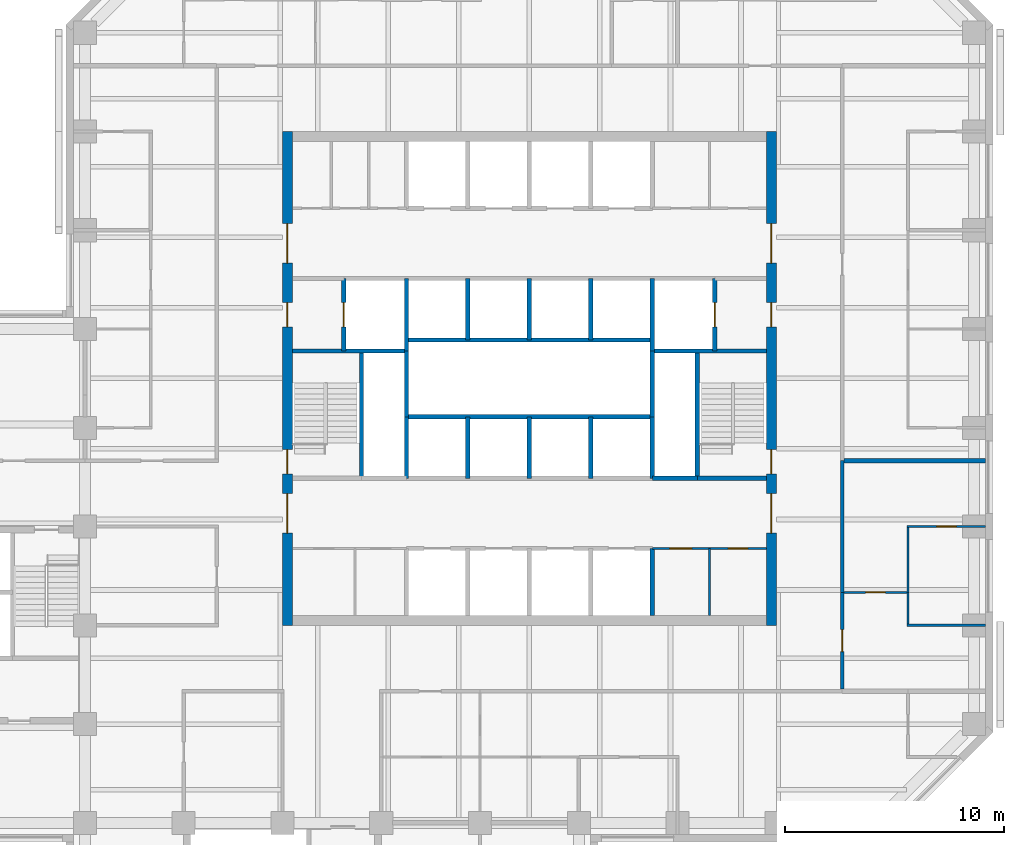
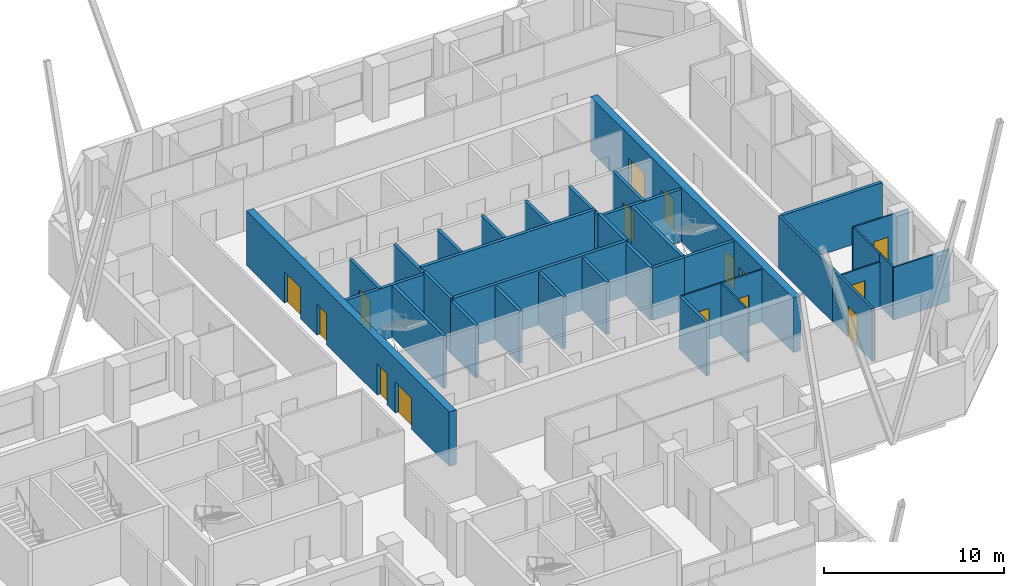
# One storey, part 7 of 11: 35 walls, 15 doors, 15 openings.
"""IFC4 building model written with IfcOpenShell, lengths in metres."""

from ifc_helpers import new_model, si_unit, direction, frame, frame_2d, origin, place, context, subcontext, project, spatial, rectangle, extrude, material, layer, layer_set, type_object, element, fill, save


model = new_model("IFC4")

# Units and contexts
model_context = context("Model", 3, precision=1e-05, world=origin(), true_north=direction((0.0, 1.0)))
body_context = subcontext(model_context, "Body", "Model", "MODEL_VIEW")
ifc_project = project(units=[si_unit("LENGTHUNIT", "METRE"), si_unit("AREAUNIT", "SQUARE_METRE"), si_unit("VOLUMEUNIT", "CUBIC_METRE"), si_unit("PLANEANGLEUNIT", "RADIAN"), si_unit("MASSUNIT", "GRAM", prefix="KILO")], contexts=[model_context])

# Site, building, storey
site_placement = place(None, origin())
site = spatial("IfcSite", under=ifc_project, at=site_placement, CompositionType="ELEMENT")
building_placement = place(site_placement, origin())
building = spatial("IfcBuilding", under=site, at=building_placement, Name="Quoin Convention Tower", CompositionType="ELEMENT")
storey_placement = place(building_placement, frame((0.0, 0.0, 112.199951171875)))
storey = spatial("IfcBuildingStorey", under=building, at=storey_placement, Name="L29", CompositionType="ELEMENT", Elevation=112.199951171875)

# Wall, openings, doors
ifc_material_1 = material(Name="Plasterboard")
ifc_layer_1 = layer(ifc_material_1, 0.012451171875, Name="Finish")
ifc_material_2 = material(Name="Steel stud framing", Category="steel")
ifc_layer_2 = layer(ifc_material_2, 0.074951171875, Name="Structure")
ifc_layer_3 = layer(ifc_material_1, 0.012451171875, Name="Finish")
ifc_layer_set_1 = layer_set([ifc_layer_1, ifc_layer_2, ifc_layer_3], Name="Steel stud framing")
wall_type_1 = type_object("IfcWallType", Name="Core partition wall", PredefinedType="PARTITIONING", material=ifc_layer_set_1)
wall_1_placement = place(storey_placement, frame((61.85009765625, 53.0, 0.0), z_axis=(0.0, 0.0, 1.0), x_axis=(1.0, 0.0, 0.0)))
wall_1 = element("IfcWall", 1, at=wall_1_placement, inside=storey, type_object=wall_type_1, Name="cr-C1-L29-h3500_16850", PredefinedType="PARTITIONING", context=body_context, shape_type="SweptSolid", body=[
    extrude(rectangle(XDim=5.199951171875, YDim=0.10009765625, at=frame_2d((2.60009765625, 0.0))), origin(), (0.0, 0.0, 1.0), 3.550048828125),
])
opening_1_placement = place(wall_1_placement, frame((3.449951171875, 0.0, 0.0)))
opening_1 = element("IfcOpeningElement", 2, at=opening_1_placement, cuts=wall_1, Name="Opening DCV4-24", PredefinedType="OPENING", context=body_context, shape_type="SweptSolid", body=[
    extrude(rectangle(XDim=0.89990234375, YDim=2.10009765625, at=frame_2d((0.449951171875, 1.050048828125))), frame((0.0, 0.06005859375, 0.0), z_axis=(0.0, -1.0, 0.0), x_axis=(1.0, 0.0, 0.0)), (0.0, 0.0, 1.0), 0.1201171875),
])
opening_2_placement = place(wall_1_placement, frame((0.800048828125, 0.0, 0.0)))
opening_2 = element("IfcOpeningElement", 3, at=opening_2_placement, cuts=wall_1, Name="Opening DCV4-22", PredefinedType="OPENING", context=body_context, shape_type="SweptSolid", body=[
    extrude(rectangle(XDim=1.0, YDim=2.10009765625, at=frame_2d((0.5, 1.050048828125))), frame((0.0, 0.06005859375, 0.0), z_axis=(0.0, -1.0, 0.0), x_axis=(1.0, 0.0, 0.0)), (0.0, 0.0, 1.0), 0.1201171875),
])
ifc_material_3 = material(Name="Steel door leaf", Category="steel")
door_type_1 = type_object("IfcDoorType", Name="Core room door 1000 x 2100", OperationType="SINGLE_SWING_LEFT", PredefinedType="DOOR", material=ifc_material_3)
door_1_placement = place(opening_2_placement, frame((1.0, 0.0, 0.0), z_axis=(0.0, 0.0, 1.0), x_axis=(-1.0, 0.0, 0.0)))
door_1 = element("IfcDoor", 4, at=door_1_placement, inside=storey, type_object=door_type_1, Name="cd-C1-L29-CSE1-lobA-CD2913", OperationType="SINGLE_SWING_RIGHT", OverallHeight=2.10009765625, OverallWidth=1.0, PredefinedType="DOOR", context=body_context, shape_type="SweptSolid", body=[
    extrude(rectangle(XDim=1.0, YDim=2.10009765625, at=frame_2d((0.5, 1.050048828125))), frame((0.0, 0.02490234375, 0.0), z_axis=(0.0, -1.0, 0.0), x_axis=(1.0, 0.0, 0.0)), (0.0, 0.0, 1.0), 0.050048828125),
])
fill(opening_2, door_1)
door_type_2 = type_object("IfcDoorType", Name="Core room door 900 x 2100", OperationType="SINGLE_SWING_LEFT", PredefinedType="DOOR", material=ifc_material_3)
door_2_placement = place(opening_1_placement, frame((0.89990234375, 0.0, 0.0), z_axis=(0.0, 0.0, 1.0), x_axis=(-1.0, 0.0, 0.0)))
door_2 = element("IfcDoor", 5, at=door_2_placement, inside=storey, type_object=door_type_2, Name="cd-C1-L29-CSE0-lobA-CD2912", OperationType="SINGLE_SWING_LEFT", OverallHeight=2.10009765625, OverallWidth=0.89990234375, PredefinedType="DOOR", context=body_context, shape_type="SweptSolid", body=[
    extrude(rectangle(XDim=0.89990234375, YDim=2.10009765625, at=frame_2d((0.449951171875, 1.050048828125))), frame((0.0, 0.02490234375, 0.0), z_axis=(0.0, -1.0, 0.0), x_axis=(1.0, 0.0, 0.0)), (0.0, 0.0, 1.0), 0.050048828125),
])
fill(opening_1, door_2)

# Walls
wall_2_placement = place(storey_placement, frame((64.449951171875, 49.949951171875, 0.0), z_axis=(0.0, 0.0, 1.0), x_axis=(0.0, 1.0, 0.0)))
element("IfcWall", 6, at=wall_2_placement, inside=storey, type_object=wall_type_1, Name="cr-C1-L29-v19450_450", PredefinedType="PARTITIONING", context=body_context, shape_type="SweptSolid", body=[
    extrude(rectangle(XDim=3.050048828125, YDim=0.10009765625, at=frame_2d((1.52490234375, 0.0))), origin(), (0.0, 0.0, 1.0), 3.550048828125),
])
ifc_material_4 = material(Name="Concrete C50", Category="concrete")
ifc_layer_4 = layer(ifc_material_4, 0.199951171875)
ifc_layer_set_2 = layer_set([ifc_layer_4], Name="Concrete C50")
wall_type_2 = type_object("IfcWallType", Name="Core shaft wall", PredefinedType="SOLIDWALL", material=ifc_layer_set_2)
wall_3_placement = place(storey_placement, frame((61.85009765625, 56.199951171875, 0.0), z_axis=(0.0, 0.0, 1.0), x_axis=(1.0, 0.0, 0.0)))
element("IfcWall", 7, at=wall_3_placement, inside=storey, type_object=wall_type_2, Name="cr-C1-L29-h6700_16850", PredefinedType="SOLIDWALL", context=body_context, shape_type="SweptSolid", body=[
    extrude(rectangle(XDim=2.0498046875, YDim=0.199951171875, at=frame_2d((1.02490234375, 0.0))), origin(), (0.0, 0.0, 1.0), 3.550048828125),
])
wall_4_placement = place(storey_placement, frame((63.89990234375, 56.199951171875, 0.0), z_axis=(0.0, 0.0, 1.0), x_axis=(1.0, 0.0, 0.0)))
element("IfcWall", 8, at=wall_4_placement, inside=storey, type_object=wall_type_2, Name="cr-C1-L29-h6700_18900", PredefinedType="SOLIDWALL", context=body_context, shape_type="SweptSolid", body=[
    extrude(rectangle(XDim=3.150146484375, YDim=0.199951171875, at=frame_2d((1.5751953125, 0.0))), origin(), (0.0, 0.0, 1.0), 3.550048828125),
])
for number, where, z_axis, x_axis, name in (
    (9, (45.449951171875, 62.0, 0.0), (0.0, 0.0, 1.0), (1.0, 0.0, 0.0), "cr-C1-L29-h12500_450"),
    (10, (61.85009765625, 62.0, 0.0), (0.0, 0.0, 1.0), (1.0, 0.0, 0.0), "cr-C1-L29-h12500_16850"),
):
    element("IfcWall", number, at=place(storey_placement, frame(where, z_axis=z_axis, x_axis=x_axis)), inside=storey, type_object=wall_type_2, Name=name, PredefinedType="SOLIDWALL", context=body_context, shape_type="SweptSolid", body=[
        extrude(rectangle(XDim=5.199951171875, YDim=0.199951171875, at=frame_2d((2.60009765625, 0.0))), origin(), (0.0, 0.0, 1.0), 3.550048828125),
    ])

# Wall, opening, door
wall_5_placement = place(storey_placement, frame((47.800048828125, 62.0, 0.0), z_axis=(0.0, 0.0, 1.0), x_axis=(0.0, 1.0, 0.0)))
wall_5 = element("IfcWall", 11, at=wall_5_placement, inside=storey, type_object=wall_type_2, Name="cr-C1-L29-v2800_12500", PredefinedType="SOLIDWALL", context=body_context, shape_type="SweptSolid", body=[
    extrude(rectangle(XDim=3.300048828125, YDim=0.199951171875, at=frame_2d((1.64990234375, 0.0))), origin(), (0.0, 0.0, 1.0), 3.550048828125),
])
opening_3_placement = place(wall_5_placement, frame((1.10009765625, 0.0, 0.0)))
opening_3 = element("IfcOpeningElement", 12, at=opening_3_placement, cuts=wall_5, Name="Opening LDFL1", PredefinedType="OPENING", context=body_context, shape_type="SweptSolid", body=[
    extrude(rectangle(XDim=1.10009765625, YDim=2.10009765625, at=frame_2d((0.550048828125, 1.050048828125))), frame((0.0, 0.10986328125, 0.0), z_axis=(0.0, -1.0, 0.0), x_axis=(1.0, 0.0, 0.0)), (0.0, 0.0, 1.0), 0.219970703125),
])
door_type_3 = type_object("IfcDoorType", Name="Lift landing door 1100 x 2100", OperationType="DOUBLE_DOOR_SLIDING", PredefinedType="DOOR", material=ifc_material_3)
door_3_placement = place(opening_3_placement, origin())
door_3 = element("IfcDoor", 13, at=door_3_placement, inside=storey, type_object=door_type_3, Name="cd-C1-L29-FLW-FFW-LDFL1", OperationType="DOUBLE_DOOR_SLIDING", OverallHeight=2.10009765625, OverallWidth=1.10009765625, PredefinedType="DOOR", context=body_context, shape_type="SweptSolid", body=[
    extrude(rectangle(XDim=1.10009765625, YDim=2.10009765625, at=frame_2d((0.550048828125, 1.050048828125))), frame((0.0, 0.02490234375, 0.0), z_axis=(0.0, -1.0, 0.0), x_axis=(1.0, 0.0, 0.0)), (0.0, 0.0, 1.0), 0.050048828125),
])
fill(opening_3, door_3)

# Walls
wall_6_placement = place(storey_placement, frame((48.60009765625, 56.199951171875, 0.0), z_axis=(0.0, 0.0, 1.0), x_axis=(0.0, 1.0, 0.0)))
element("IfcWall", 14, at=wall_6_placement, inside=storey, type_object=wall_type_2, Name="cr-C1-L29-v3600_6700", PredefinedType="SOLIDWALL", context=body_context, shape_type="SweptSolid", body=[
    extrude(rectangle(XDim=5.800048828125, YDim=0.199951171875, at=frame_2d((2.89990234375, 0.0))), origin(), (0.0, 0.0, 1.0), 3.550048828125),
])
wall_7_placement = place(storey_placement, frame((50.64990234375, 56.199951171875, 0.0), z_axis=(0.0, 0.0, 1.0), x_axis=(0.0, 1.0, 0.0)))
element("IfcWall", 15, at=wall_7_placement, inside=storey, type_object=wall_type_2, Name="cr-C1-L29-v5650_6700", PredefinedType="SOLIDWALL", context=body_context, shape_type="SweptSolid", body=[
    extrude(rectangle(XDim=2.800048828125, YDim=0.199951171875, at=frame_2d((1.39990234375, 0.0))), origin(), (0.0, 0.0, 1.0), 3.550048828125),
])
wall_8_placement = place(storey_placement, frame((50.64990234375, 62.0, 0.0), z_axis=(0.0, 0.0, 1.0), x_axis=(0.0, 1.0, 0.0)))
element("IfcWall", 16, at=wall_8_placement, inside=storey, type_object=wall_type_2, Name="cr-C1-L29-v5650_12500", PredefinedType="SOLIDWALL", context=body_context, shape_type="SweptSolid", body=[
    extrude(rectangle(XDim=3.300048828125, YDim=0.199951171875, at=frame_2d((1.64990234375, 0.0))), origin(), (0.0, 0.0, 1.0), 3.550048828125),
])
for number, where, z_axis, x_axis, name in (
    (17, (53.449951171875, 56.199951171875, 0.0), (0.0, 0.0, 1.0), (0.0, 1.0, 0.0), "cr-C1-L29-v8450_6700"),
    (18, (53.449951171875, 62.5, 0.0), (0.0, 0.0, 1.0), (0.0, 1.0, 0.0), "cr-C1-L29-v8450_13000"),
    (19, (56.25, 56.199951171875, 0.0), (0.0, 0.0, 1.0), (0.0, 1.0, 0.0), "cr-C1-L29-v11250_6700"),
    (20, (56.25, 62.5, 0.0), (0.0, 0.0, 1.0), (0.0, 1.0, 0.0), "cr-C1-L29-v11250_13000"),
    (21, (59.050048828125, 56.199951171875, 0.0), (0.0, 0.0, 1.0), (0.0, 1.0, 0.0), "cr-C1-L29-v14050_6700"),
    (22, (59.050048828125, 62.5, 0.0), (0.0, 0.0, 1.0), (0.0, 1.0, 0.0), "cr-C1-L29-v14050_13000"),
):
    element("IfcWall", number, at=place(storey_placement, frame(where, z_axis=z_axis, x_axis=x_axis)), inside=storey, type_object=wall_type_2, Name=name, PredefinedType="SOLIDWALL", context=body_context, shape_type="SweptSolid", body=[
        extrude(rectangle(XDim=2.800048828125, YDim=0.199951171875, at=frame_2d((1.39990234375, 0.0))), origin(), (0.0, 0.0, 1.0), 3.550048828125),
    ])
wall_9_placement = place(storey_placement, frame((61.85009765625, 49.949951171875, 0.0), z_axis=(0.0, 0.0, 1.0), x_axis=(0.0, 1.0, 0.0)))
element("IfcWall", 23, at=wall_9_placement, inside=storey, type_object=wall_type_2, Name="cr-C1-L29-v16850_450", PredefinedType="SOLIDWALL", context=body_context, shape_type="SweptSolid", body=[
    extrude(rectangle(XDim=3.050048828125, YDim=0.199951171875, at=frame_2d((1.52490234375, 0.0))), origin(), (0.0, 0.0, 1.0), 3.550048828125),
])
wall_10_placement = place(storey_placement, frame((61.85009765625, 56.199951171875, 0.0), z_axis=(0.0, 0.0, 1.0), x_axis=(0.0, 1.0, 0.0)))
element("IfcWall", 24, at=wall_10_placement, inside=storey, type_object=wall_type_2, Name="cr-C1-L29-v16850_6700", PredefinedType="SOLIDWALL", context=body_context, shape_type="SweptSolid", body=[
    extrude(rectangle(XDim=2.800048828125, YDim=0.199951171875, at=frame_2d((1.39990234375, 0.0))), origin(), (0.0, 0.0, 1.0), 3.550048828125),
])
wall_11_placement = place(storey_placement, frame((61.85009765625, 62.0, 0.0), z_axis=(0.0, 0.0, 1.0), x_axis=(0.0, 1.0, 0.0)))
element("IfcWall", 25, at=wall_11_placement, inside=storey, type_object=wall_type_2, Name="cr-C1-L29-v16850_12500", PredefinedType="SOLIDWALL", context=body_context, shape_type="SweptSolid", body=[
    extrude(rectangle(XDim=3.300048828125, YDim=0.199951171875, at=frame_2d((1.64990234375, 0.0))), origin(), (0.0, 0.0, 1.0), 3.550048828125),
])
wall_12_placement = place(storey_placement, frame((63.89990234375, 56.199951171875, 0.0), z_axis=(0.0, 0.0, 1.0), x_axis=(0.0, 1.0, 0.0)))
element("IfcWall", 26, at=wall_12_placement, inside=storey, type_object=wall_type_2, Name="cr-C1-L29-v18900_6700", PredefinedType="SOLIDWALL", context=body_context, shape_type="SweptSolid", body=[
    extrude(rectangle(XDim=5.800048828125, YDim=0.199951171875, at=frame_2d((2.89990234375, 0.0))), origin(), (0.0, 0.0, 1.0), 3.550048828125),
])

# Wall, opening, door
wall_13_placement = place(storey_placement, frame((64.699951171875, 62.0, 0.0), z_axis=(0.0, 0.0, 1.0), x_axis=(0.0, 1.0, 0.0)))
wall_13 = element("IfcWall", 27, at=wall_13_placement, inside=storey, type_object=wall_type_2, Name="cr-C1-L29-v19700_12500", PredefinedType="SOLIDWALL", context=body_context, shape_type="SweptSolid", body=[
    extrude(rectangle(XDim=3.300048828125, YDim=0.199951171875, at=frame_2d((1.64990234375, 0.0))), origin(), (0.0, 0.0, 1.0), 3.550048828125),
])
opening_4_placement = place(wall_13_placement, frame((1.10009765625, 0.0, 0.0)))
opening_4 = element("IfcOpeningElement", 28, at=opening_4_placement, cuts=wall_13, Name="Opening LDFL2", PredefinedType="OPENING", context=body_context, shape_type="SweptSolid", body=[
    extrude(rectangle(XDim=1.10009765625, YDim=2.10009765625, at=frame_2d((0.550048828125, 1.050048828125))), frame((0.0, 0.10986328125, 0.0), z_axis=(0.0, -1.0, 0.0), x_axis=(1.0, 0.0, 0.0)), (0.0, 0.0, 1.0), 0.219970703125),
])
door_4_placement = place(opening_4_placement, origin())
door_4 = element("IfcDoor", 29, at=door_4_placement, inside=storey, type_object=door_type_3, Name="cd-C1-L29-FLE-FFE-LDFL2", OperationType="DOUBLE_DOOR_SLIDING", OverallHeight=2.10009765625, OverallWidth=1.10009765625, PredefinedType="DOOR", context=body_context, shape_type="SweptSolid", body=[
    extrude(rectangle(XDim=1.10009765625, YDim=2.10009765625, at=frame_2d((0.550048828125, 1.050048828125))), frame((0.0, 0.02490234375, 0.0), z_axis=(0.0, -1.0, 0.0), x_axis=(1.0, 0.0, 0.0)), (0.0, 0.0, 1.0), 0.050048828125),
])
fill(opening_4, door_4)

# Walls
ifc_layer_5 = layer(ifc_material_4, 0.199951171875)
ifc_layer_set_3 = layer_set([ifc_layer_5], Name="Concrete C50")
wall_type_3 = type_object("IfcWallType", Name="Core shaft wall to the floor level over", PredefinedType="SOLIDWALL", material=ifc_layer_set_3)
for number, where, z_axis, x_axis, name in (
    (30, (50.64990234375, 59.0, 0.0), (0.0, 0.0, 1.0), (1.0, 0.0, 0.0), "cr-C1-L29-h9500_5650"),
    (31, (50.64990234375, 62.5, 0.0), (0.0, 0.0, 1.0), (1.0, 0.0, 0.0), "cr-C1-L29-h13000_5650"),
):
    element("IfcWall", number, at=place(storey_placement, frame(where, z_axis=z_axis, x_axis=x_axis)), inside=storey, type_object=wall_type_3, Name=name, PredefinedType="SOLIDWALL", context=body_context, shape_type="SweptSolid", body=[
        extrude(rectangle(XDim=11.2001953125, YDim=0.199951171875, at=frame_2d((5.60009765625, 0.0))), origin(), (0.0, 0.0, 1.0), 3.699951171875),
    ])
for number, where, z_axis, x_axis, name in (
    (32, (50.64990234375, 59.0, 0.0), (0.0, 0.0, 1.0), (0.0, 1.0, 0.0), "cr-C1-L29-v5650_9500"),
    (33, (61.85009765625, 59.0, 0.0), (0.0, 0.0, 1.0), (0.0, 1.0, 0.0), "cr-C1-L29-v16850_9500"),
):
    element("IfcWall", number, at=place(storey_placement, frame(where, z_axis=z_axis, x_axis=x_axis)), inside=storey, type_object=wall_type_3, Name=name, PredefinedType="SOLIDWALL", context=body_context, shape_type="SweptSolid", body=[
        extrude(rectangle(XDim=3.0, YDim=0.199951171875, at=frame_2d((1.5, 0.0))), origin(), (0.0, 0.0, 1.0), 3.699951171875),
    ])

# Wall, opening, door
ifc_layer_6 = layer(ifc_material_1, 0.012451171875, Name="Finish")
ifc_layer_7 = layer(ifc_material_2, 0.125, Name="Structure")
ifc_layer_8 = layer(ifc_material_1, 0.012451171875, Name="Finish")
ifc_layer_set_4 = layer_set([ifc_layer_6, ifc_layer_7, ifc_layer_8], Name="Steel stud framing")
wall_type_4 = type_object("IfcWallType", Name="Corridor wall 150", PredefinedType="PARTITIONING", material=ifc_layer_set_4)
wall_14_placement = place(storey_placement, frame((70.5, 46.60009765625, 0.0), z_axis=(0.0, 0.0, 1.0), x_axis=(0.0, 1.0, 0.0)))
wall_14 = element("IfcWall", 34, at=wall_14_placement, inside=storey, type_object=wall_type_4, Name="pw-L29-085", PredefinedType="PARTITIONING", context=body_context, shape_type="SweptSolid", body=[
    extrude(rectangle(XDim=4.39990234375, YDim=0.14990234375, at=frame_2d((2.199951171875, 0.0))), origin(), (0.0, 0.0, 1.0), 3.550048828125),
])
opening_5_placement = place(wall_14_placement, frame((1.699951171875, 0.0, 0.0)))
opening_5 = element("IfcOpeningElement", 35, at=opening_5_placement, cuts=wall_14, Name="Opening DOL5-31", PredefinedType="OPENING", context=body_context, shape_type="SweptSolid", body=[
    extrude(rectangle(XDim=1.0, YDim=2.10009765625, at=frame_2d((0.5, 1.050048828125))), frame((0.0, 0.0849609375, 0.0), z_axis=(0.0, -1.0, 0.0), x_axis=(1.0, 0.0, 0.0)), (0.0, 0.0, 1.0), 0.169921875),
])
door_type_4 = type_object("IfcDoorType", Name="Tenancy entrance door 1000 x 2100", OperationType="DOUBLE_DOOR_SINGLE_SWING", PredefinedType="DOOR", material=ifc_material_3)
door_5_placement = place(opening_5_placement, frame((1.0, 0.0, 0.0), z_axis=(0.0, 0.0, 1.0), x_axis=(-1.0, 0.0, 0.0)))
door_5 = element("IfcDoor", 36, at=door_5_placement, inside=storey, type_object=door_type_4, Name="dr-L29-28", OperationType="DOUBLE_DOOR_SINGLE_SWING", OverallHeight=2.10009765625, OverallWidth=1.0, PredefinedType="DOOR", context=body_context, shape_type="SweptSolid", body=[
    extrude(rectangle(XDim=1.0, YDim=2.10009765625, at=frame_2d((0.5, 1.050048828125))), frame((0.0, 0.02490234375, 0.0), z_axis=(0.0, -1.0, 0.0), x_axis=(1.0, 0.0, 0.0)), (0.0, 0.0, 1.0), 0.050048828125),
])
fill(opening_5, door_5)

# Wall
wall_15_placement = place(storey_placement, frame((70.5, 51.0, 0.0), z_axis=(0.0, 0.0, 1.0), x_axis=(0.0, 1.0, 0.0)))
element("IfcWall", 37, at=wall_15_placement, inside=storey, type_object=wall_type_4, Name="pw-L29-090", PredefinedType="PARTITIONING", context=body_context, shape_type="SweptSolid", body=[
    extrude(rectangle(XDim=6.0, YDim=0.14990234375, at=frame_2d((3.0, 0.0))), origin(), (0.0, 0.0, 1.0), 3.550048828125),
])

# Wall, openings, doors
ifc_material_5 = material(Name="Concrete C65", Category="concrete")
ifc_layer_9 = layer(ifc_material_5, 0.449951171875)
ifc_layer_set_5 = layer_set([ifc_layer_9], Name="Concrete C65")
wall_type_5 = type_object("IfcWallType", Name="RC CORE WALL 450 C65", PredefinedType="SHEAR", material=ifc_layer_set_5)
wall_16_placement = place(storey_placement, frame((45.22509765625, 49.5, 0.0), z_axis=(0.0, 0.0, 1.0), x_axis=(0.0, 1.0, 0.0)))
wall_16 = element("IfcWall", 38, at=wall_16_placement, inside=storey, type_object=wall_type_5, Name="cwl-C1-L29-W", PredefinedType="SHEAR", context=body_context, shape_type="SweptSolid", body=[
    extrude(rectangle(XDim=22.5, YDim=0.449951171875, at=frame_2d((11.25, 0.0))), origin(), (0.0, 0.0, 1.0), 3.699951171875),
])
opening_6_placement = place(wall_16_placement, frame((4.199951171875, 0.0, 0.0)))
opening_6 = element("IfcOpeningElement", 39, at=opening_6_placement, cuts=wall_16, Name="Opening DCV4-41", PredefinedType="OPENING", context=body_context, shape_type="SweptSolid", body=[
    extrude(rectangle(XDim=1.800048828125, YDim=2.10009765625, at=frame_2d((0.89990234375, 1.050048828125))), frame((0.0, 0.23486328125, 0.0), z_axis=(0.0, -1.0, 0.0), x_axis=(1.0, 0.0, 0.0)), (0.0, 0.0, 1.0), 0.469970703125),
])
opening_7_placement = place(wall_16_placement, frame((6.89990234375, 0.0, 0.0)))
opening_7 = element("IfcOpeningElement", 40, at=opening_7_placement, cuts=wall_16, Name="Opening SD1", PredefinedType="OPENING", context=body_context, shape_type="SweptSolid", body=[
    extrude(rectangle(XDim=1.10009765625, YDim=2.10009765625, at=frame_2d((0.550048828125, 1.050048828125))), frame((0.0, 0.23486328125, 0.0), z_axis=(0.0, -1.0, 0.0), x_axis=(1.0, 0.0, 0.0)), (0.0, 0.0, 1.0), 0.469970703125),
])
opening_8_placement = place(wall_16_placement, frame((13.60009765625, 0.0, 0.0)))
opening_8 = element("IfcOpeningElement", 41, at=opening_8_placement, cuts=wall_16, Name="Opening DCV4-40", PredefinedType="OPENING", context=body_context, shape_type="SweptSolid", body=[
    extrude(rectangle(XDim=1.10009765625, YDim=2.10009765625, at=frame_2d((0.550048828125, 1.050048828125))), frame((0.0, 0.23486328125, 0.0), z_axis=(0.0, -1.0, 0.0), x_axis=(1.0, 0.0, 0.0)), (0.0, 0.0, 1.0), 0.469970703125),
])
opening_9_placement = place(wall_16_placement, frame((16.5, 0.0, 0.0)))
opening_9 = element("IfcOpeningElement", 42, at=opening_9_placement, cuts=wall_16, Name="Opening DCV4-41", PredefinedType="OPENING", context=body_context, shape_type="SweptSolid", body=[
    extrude(rectangle(XDim=1.800048828125, YDim=2.10009765625, at=frame_2d((0.89990234375, 1.050048828125))), frame((0.0, 0.23486328125, 0.0), z_axis=(0.0, -1.0, 0.0), x_axis=(1.0, 0.0, 0.0)), (0.0, 0.0, 1.0), 0.469970703125),
])
door_type_5 = type_object("IfcDoorType", Name="Fire-fighting lobby door 1100 x 2100", OperationType="SINGLE_SWING_LEFT", PredefinedType="DOOR", material=ifc_material_3)
door_6_placement = place(opening_8_placement, frame((1.10009765625, 0.0, 0.0), z_axis=(0.0, 0.0, 1.0), x_axis=(-1.0, 0.0, 0.0)))
door_6 = element("IfcDoor", 43, at=door_6_placement, inside=storey, type_object=door_type_5, Name="cd-C1-L29-FFW-W", OperationType="SINGLE_SWING_LEFT", OverallHeight=2.10009765625, OverallWidth=1.10009765625, PredefinedType="DOOR", context=body_context, shape_type="SweptSolid", body=[
    extrude(rectangle(XDim=1.10009765625, YDim=2.10009765625, at=frame_2d((0.550048828125, 1.050048828125))), frame((0.0, 0.02490234375, 0.0), z_axis=(0.0, -1.0, 0.0), x_axis=(1.0, 0.0, 0.0)), (0.0, 0.0, 1.0), 0.050048828125),
])
fill(opening_8, door_6)
door_type_6 = type_object("IfcDoorType", Name="Lift lobby door 1800 x 2100", OperationType="SINGLE_SWING_LEFT", PredefinedType="DOOR", material=ifc_material_3)
door_7_placement = place(opening_6_placement, frame((1.800048828125, 0.0, 0.0), z_axis=(0.0, 0.0, 1.0), x_axis=(-1.0, 0.0, 0.0)))
door_7 = element("IfcDoor", 44, at=door_7_placement, inside=storey, type_object=door_type_6, Name="cd-C1-L29-lobA-W", OperationType="SINGLE_SWING_LEFT", OverallHeight=2.10009765625, OverallWidth=1.800048828125, PredefinedType="DOOR", context=body_context, shape_type="SweptSolid", body=[
    extrude(rectangle(XDim=1.800048828125, YDim=2.10009765625, at=frame_2d((0.89990234375, 1.050048828125))), frame((0.0, 0.02490234375, 0.0), z_axis=(0.0, -1.0, 0.0), x_axis=(1.0, 0.0, 0.0)), (0.0, 0.0, 1.0), 0.050048828125),
])
fill(opening_6, door_7)
door_8_placement = place(opening_9_placement, frame((1.800048828125, 0.0, 0.0), z_axis=(0.0, 0.0, 1.0), x_axis=(-1.0, 0.0, 0.0)))
door_8 = element("IfcDoor", 45, at=door_8_placement, inside=storey, type_object=door_type_6, Name="cd-C1-L29-lobB-W", OperationType="SINGLE_SWING_LEFT", OverallHeight=2.10009765625, OverallWidth=1.800048828125, PredefinedType="DOOR", context=body_context, shape_type="SweptSolid", body=[
    extrude(rectangle(XDim=1.800048828125, YDim=2.10009765625, at=frame_2d((0.89990234375, 1.050048828125))), frame((0.0, 0.02490234375, 0.0), z_axis=(0.0, -1.0, 0.0), x_axis=(1.0, 0.0, 0.0)), (0.0, 0.0, 1.0), 0.050048828125),
])
fill(opening_9, door_8)
door_type_7 = type_object("IfcDoorType", Name="Stair door 1100 x 2100", OperationType="SINGLE_SWING_RIGHT", PredefinedType="DOOR", material=ifc_material_3)
door_9_placement = place(opening_7_placement, frame((1.10009765625, 0.0, 0.0), z_axis=(0.0, 0.0, 1.0), x_axis=(-1.0, 0.0, 0.0)))
door_9 = element("IfcDoor", 46, at=door_9_placement, inside=storey, type_object=door_type_7, Name="cd-C1-L29-STW-W", OperationType="SINGLE_SWING_RIGHT", OverallHeight=2.10009765625, OverallWidth=1.10009765625, PredefinedType="DOOR", context=body_context, shape_type="SweptSolid", body=[
    extrude(rectangle(XDim=1.10009765625, YDim=2.10009765625, at=frame_2d((0.550048828125, 1.050048828125))), frame((0.0, 0.02490234375, 0.0), z_axis=(0.0, -1.0, 0.0), x_axis=(1.0, 0.0, 0.0)), (0.0, 0.0, 1.0), 0.050048828125),
])
fill(opening_7, door_9)

wall_17_placement = place(storey_placement, frame((67.27490234375, 49.5, 0.0), z_axis=(0.0, 0.0, 1.0), x_axis=(0.0, 1.0, 0.0)))
wall_17 = element("IfcWall", 47, at=wall_17_placement, inside=storey, type_object=wall_type_5, Name="cwl-C1-L29-E", PredefinedType="SHEAR", context=body_context, shape_type="SweptSolid", body=[
    extrude(rectangle(XDim=22.5, YDim=0.449951171875, at=frame_2d((11.25, 0.0))), origin(), (0.0, 0.0, 1.0), 3.699951171875),
])
opening_10_placement = place(wall_17_placement, frame((4.199951171875, 0.0, 0.0)))
opening_10 = element("IfcOpeningElement", 48, at=opening_10_placement, cuts=wall_17, Name="Opening DCV4-39", PredefinedType="OPENING", context=body_context, shape_type="SweptSolid", body=[
    extrude(rectangle(XDim=1.800048828125, YDim=2.10009765625, at=frame_2d((0.89990234375, 1.050048828125))), frame((0.0, 0.23486328125, 0.0), z_axis=(0.0, -1.0, 0.0), x_axis=(1.0, 0.0, 0.0)), (0.0, 0.0, 1.0), 0.469970703125),
])
opening_11_placement = place(wall_17_placement, frame((6.89990234375, 0.0, 0.0)))
opening_11 = element("IfcOpeningElement", 49, at=opening_11_placement, cuts=wall_17, Name="Opening SD2", PredefinedType="OPENING", context=body_context, shape_type="SweptSolid", body=[
    extrude(rectangle(XDim=1.10009765625, YDim=2.10009765625, at=frame_2d((0.550048828125, 1.050048828125))), frame((0.0, 0.23486328125, 0.0), z_axis=(0.0, -1.0, 0.0), x_axis=(1.0, 0.0, 0.0)), (0.0, 0.0, 1.0), 0.469970703125),
])
opening_12_placement = place(wall_17_placement, frame((13.60009765625, 0.0, 0.0)))
opening_12 = element("IfcOpeningElement", 50, at=opening_12_placement, cuts=wall_17, Name="Opening DCV4-38", PredefinedType="OPENING", context=body_context, shape_type="SweptSolid", body=[
    extrude(rectangle(XDim=1.10009765625, YDim=2.10009765625, at=frame_2d((0.550048828125, 1.050048828125))), frame((0.0, 0.23486328125, 0.0), z_axis=(0.0, -1.0, 0.0), x_axis=(1.0, 0.0, 0.0)), (0.0, 0.0, 1.0), 0.469970703125),
])
opening_13_placement = place(wall_17_placement, frame((16.5, 0.0, 0.0)))
opening_13 = element("IfcOpeningElement", 51, at=opening_13_placement, cuts=wall_17, Name="Opening DCV4-39", PredefinedType="OPENING", context=body_context, shape_type="SweptSolid", body=[
    extrude(rectangle(XDim=1.800048828125, YDim=2.10009765625, at=frame_2d((0.89990234375, 1.050048828125))), frame((0.0, 0.23486328125, 0.0), z_axis=(0.0, -1.0, 0.0), x_axis=(1.0, 0.0, 0.0)), (0.0, 0.0, 1.0), 0.469970703125),
])
door_10_placement = place(opening_12_placement, origin())
door_10 = element("IfcDoor", 52, at=door_10_placement, inside=storey, type_object=door_type_5, Name="cd-C1-L29-FFE-E", OperationType="SINGLE_SWING_RIGHT", OverallHeight=2.10009765625, OverallWidth=1.10009765625, PredefinedType="DOOR", context=body_context, shape_type="SweptSolid", body=[
    extrude(rectangle(XDim=1.10009765625, YDim=2.10009765625, at=frame_2d((0.550048828125, 1.050048828125))), frame((0.0, 0.02490234375, 0.0), z_axis=(0.0, -1.0, 0.0), x_axis=(1.0, 0.0, 0.0)), (0.0, 0.0, 1.0), 0.050048828125),
])
fill(opening_12, door_10)
door_11_placement = place(opening_10_placement, origin())
door_11 = element("IfcDoor", 53, at=door_11_placement, inside=storey, type_object=door_type_6, Name="cd-C1-L29-lobA-E", OperationType="SINGLE_SWING_RIGHT", OverallHeight=2.10009765625, OverallWidth=1.800048828125, PredefinedType="DOOR", context=body_context, shape_type="SweptSolid", body=[
    extrude(rectangle(XDim=1.800048828125, YDim=2.10009765625, at=frame_2d((0.89990234375, 1.050048828125))), frame((0.0, 0.02490234375, 0.0), z_axis=(0.0, -1.0, 0.0), x_axis=(1.0, 0.0, 0.0)), (0.0, 0.0, 1.0), 0.050048828125),
])
fill(opening_10, door_11)
door_12_placement = place(opening_13_placement, origin())
door_12 = element("IfcDoor", 54, at=door_12_placement, inside=storey, type_object=door_type_6, Name="cd-C1-L29-lobB-E", OperationType="SINGLE_SWING_RIGHT", OverallHeight=2.10009765625, OverallWidth=1.800048828125, PredefinedType="DOOR", context=body_context, shape_type="SweptSolid", body=[
    extrude(rectangle(XDim=1.800048828125, YDim=2.10009765625, at=frame_2d((0.89990234375, 1.050048828125))), frame((0.0, 0.02490234375, 0.0), z_axis=(0.0, -1.0, 0.0), x_axis=(1.0, 0.0, 0.0)), (0.0, 0.0, 1.0), 0.050048828125),
])
fill(opening_13, door_12)
door_13_placement = place(opening_11_placement, origin())
door_13 = element("IfcDoor", 55, at=door_13_placement, inside=storey, type_object=door_type_7, Name="cd-C1-L29-STE-E", OperationType="SINGLE_SWING_LEFT", OverallHeight=2.10009765625, OverallWidth=1.10009765625, PredefinedType="DOOR", context=body_context, shape_type="SweptSolid", body=[
    extrude(rectangle(XDim=1.10009765625, YDim=2.10009765625, at=frame_2d((0.550048828125, 1.050048828125))), frame((0.0, 0.02490234375, 0.0), z_axis=(0.0, -1.0, 0.0), x_axis=(1.0, 0.0, 0.0)), (0.0, 0.0, 1.0), 0.050048828125),
])
fill(opening_11, door_13)

# Wall
ifc_layer_10 = layer(ifc_material_1, 0.012451171875, Name="Finish")
ifc_layer_11 = layer(ifc_material_2, 0.074951171875, Name="Structure")
ifc_layer_12 = layer(ifc_material_1, 0.012451171875, Name="Finish")
ifc_layer_set_6 = layer_set([ifc_layer_10, ifc_layer_11, ifc_layer_12], Name="Steel stud framing")
wall_type_6 = type_object("IfcWallType", Name="Stud partition 100", PredefinedType="PARTITIONING", material=ifc_layer_set_6)
wall_18_placement = place(storey_placement, frame((73.449951171875, 49.5, 0.0), z_axis=(0.0, 0.0, 1.0), x_axis=(1.0, 0.0, 0.0)))
element("IfcWall", 56, at=wall_18_placement, inside=storey, type_object=wall_type_6, Name="pw-L29-027", PredefinedType="PARTITIONING", context=body_context, shape_type="SweptSolid", body=[
    extrude(rectangle(XDim=3.574951171875, YDim=0.10009765625, at=frame_2d((1.78759765625, 0.0))), origin(), (0.0, 0.0, 1.0), 3.550048828125),
])

# Wall, opening, door
wall_19_placement = place(storey_placement, frame((73.449951171875, 54.0, 0.0), z_axis=(0.0, 0.0, 1.0), x_axis=(1.0, 0.0, 0.0)))
wall_19 = element("IfcWall", 57, at=wall_19_placement, inside=storey, type_object=wall_type_6, Name="pw-L29-032", PredefinedType="PARTITIONING", context=body_context, shape_type="SweptSolid", body=[
    extrude(rectangle(XDim=3.574951171875, YDim=0.10009765625, at=frame_2d((1.78759765625, 0.0))), origin(), (0.0, 0.0, 1.0), 3.550048828125),
])
opening_14_placement = place(wall_19_placement, frame((1.35009765625, 0.0, 0.0)))
opening_14 = element("IfcOpeningElement", 58, at=opening_14_placement, cuts=wall_19, Name="Opening DOL5-10", PredefinedType="OPENING", context=body_context, shape_type="SweptSolid", body=[
    extrude(rectangle(XDim=0.89990234375, YDim=2.10009765625, at=frame_2d((0.449951171875, 1.050048828125))), frame((0.0, 0.06005859375, 0.0), z_axis=(0.0, -1.0, 0.0), x_axis=(1.0, 0.0, 0.0)), (0.0, 0.0, 1.0), 0.1201171875),
])
door_type_8 = type_object("IfcDoorType", Name="Office door 900 x 2100", OperationType="SINGLE_SWING_RIGHT", PredefinedType="DOOR", material=ifc_material_3)
door_14_placement = place(opening_14_placement, origin())
door_14 = element("IfcDoor", 59, at=door_14_placement, inside=storey, type_object=door_type_8, Name="dr-L29-30", OperationType="SINGLE_SWING_RIGHT", OverallHeight=2.10009765625, OverallWidth=0.89990234375, PredefinedType="DOOR", context=body_context, shape_type="SweptSolid", body=[
    extrude(rectangle(XDim=0.89990234375, YDim=2.10009765625, at=frame_2d((0.449951171875, 1.050048828125))), frame((0.0, 0.02490234375, 0.0), z_axis=(0.0, -1.0, 0.0), x_axis=(1.0, 0.0, 0.0)), (0.0, 0.0, 1.0), 0.050048828125),
])
fill(opening_14, door_14)

# Walls
wall_20_placement = place(storey_placement, frame((73.5, 49.550048828125, 0.0), z_axis=(0.0, 0.0, 1.0), x_axis=(0.0, 1.0, 0.0)))
element("IfcWall", 60, at=wall_20_placement, inside=storey, type_object=wall_type_6, Name="pw-L29-087", PredefinedType="PARTITIONING", context=body_context, shape_type="SweptSolid", body=[
    extrude(rectangle(XDim=1.449951171875, YDim=0.10009765625, at=frame_2d((0.72509765625, 0.0))), origin(), (0.0, 0.0, 1.0), 3.550048828125),
])
wall_21_placement = place(storey_placement, frame((73.5, 51.0, 0.0), z_axis=(0.0, 0.0, 1.0), x_axis=(0.0, 1.0, 0.0)))
element("IfcWall", 61, at=wall_21_placement, inside=storey, type_object=wall_type_6, Name="pw-L29-091", PredefinedType="PARTITIONING", context=body_context, shape_type="SweptSolid", body=[
    extrude(rectangle(XDim=2.949951171875, YDim=0.10009765625, at=frame_2d((1.47509765625, 0.0))), origin(), (0.0, 0.0, 1.0), 3.550048828125),
])

# Wall, opening, door
ifc_layer_13 = layer(ifc_material_1, 0.012451171875, Name="Finish")
ifc_layer_14 = layer(ifc_material_2, 0.074951171875, Name="Structure")
ifc_layer_15 = layer(ifc_material_1, 0.012451171875, Name="Finish")
ifc_layer_set_7 = layer_set([ifc_layer_13, ifc_layer_14, ifc_layer_15], Name="Steel stud framing")
wall_type_7 = type_object("IfcWallType", Name="Stud partition 100 under beam 528", PredefinedType="PARTITIONING", material=ifc_layer_set_7)
wall_22_placement = place(storey_placement, frame((70.574951171875, 51.0, 0.0), z_axis=(0.0, 0.0, 1.0), x_axis=(1.0, 0.0, 0.0)))
wall_22 = element("IfcWall", 62, at=wall_22_placement, inside=storey, type_object=wall_type_7, Name="pw-L29-029", PredefinedType="PARTITIONING", context=body_context, shape_type="SweptSolid", body=[
    extrude(rectangle(XDim=2.875, YDim=0.10009765625, at=frame_2d((1.4375, 0.0))), origin(), (0.0, 0.0, 1.0), 3.02197265625),
])
opening_15_placement = place(wall_22_placement, frame((1.0, 0.0, 0.0)))
opening_15 = element("IfcOpeningElement", 63, at=opening_15_placement, cuts=wall_22, Name="Opening DOL5-09", PredefinedType="OPENING", context=body_context, shape_type="SweptSolid", body=[
    extrude(rectangle(XDim=0.89990234375, YDim=2.10009765625, at=frame_2d((0.449951171875, 1.050048828125))), frame((0.0, 0.06005859375, 0.0), z_axis=(0.0, -1.0, 0.0), x_axis=(1.0, 0.0, 0.0)), (0.0, 0.0, 1.0), 0.1201171875),
])
door_15_placement = place(opening_15_placement, origin())
door_15 = element("IfcDoor", 64, at=door_15_placement, inside=storey, type_object=door_type_8, Name="dr-L29-29", OperationType="SINGLE_SWING_RIGHT", OverallHeight=2.10009765625, OverallWidth=0.89990234375, PredefinedType="DOOR", context=body_context, shape_type="SweptSolid", body=[
    extrude(rectangle(XDim=0.89990234375, YDim=2.10009765625, at=frame_2d((0.449951171875, 1.050048828125))), frame((0.0, 0.02490234375, 0.0), z_axis=(0.0, -1.0, 0.0), x_axis=(1.0, 0.0, 0.0)), (0.0, 0.0, 1.0), 0.050048828125),
])
fill(opening_15, door_15)

# Wall
ifc_layer_16 = layer(ifc_material_1, 0.012451171875, Name="Finish")
ifc_layer_17 = layer(ifc_material_2, 0.175048828125, Name="Structure")
ifc_layer_18 = layer(ifc_material_1, 0.012451171875, Name="Finish")
ifc_layer_set_8 = layer_set([ifc_layer_16, ifc_layer_17, ifc_layer_18], Name="Steel stud framing")
wall_type_8 = type_object("IfcWallType", Name="Tenancy demising wall 200", PredefinedType="PARTITIONING", material=ifc_layer_set_8)
wall_23_placement = place(storey_placement, frame((70.574951171875, 57.0, 0.0), z_axis=(0.0, 0.0, 1.0), x_axis=(1.0, 0.0, 0.0)))
element("IfcWall", 65, at=wall_23_placement, inside=storey, type_object=wall_type_8, Name="pw-L29-036", PredefinedType="PARTITIONING", context=body_context, shape_type="SweptSolid", body=[
    extrude(rectangle(XDim=6.449951171875, YDim=0.199951171875, at=frame_2d((3.22509765625, 0.0))), origin(), (0.0, 0.0, 1.0), 3.550048828125),
])

save(model, "model.ifc")
